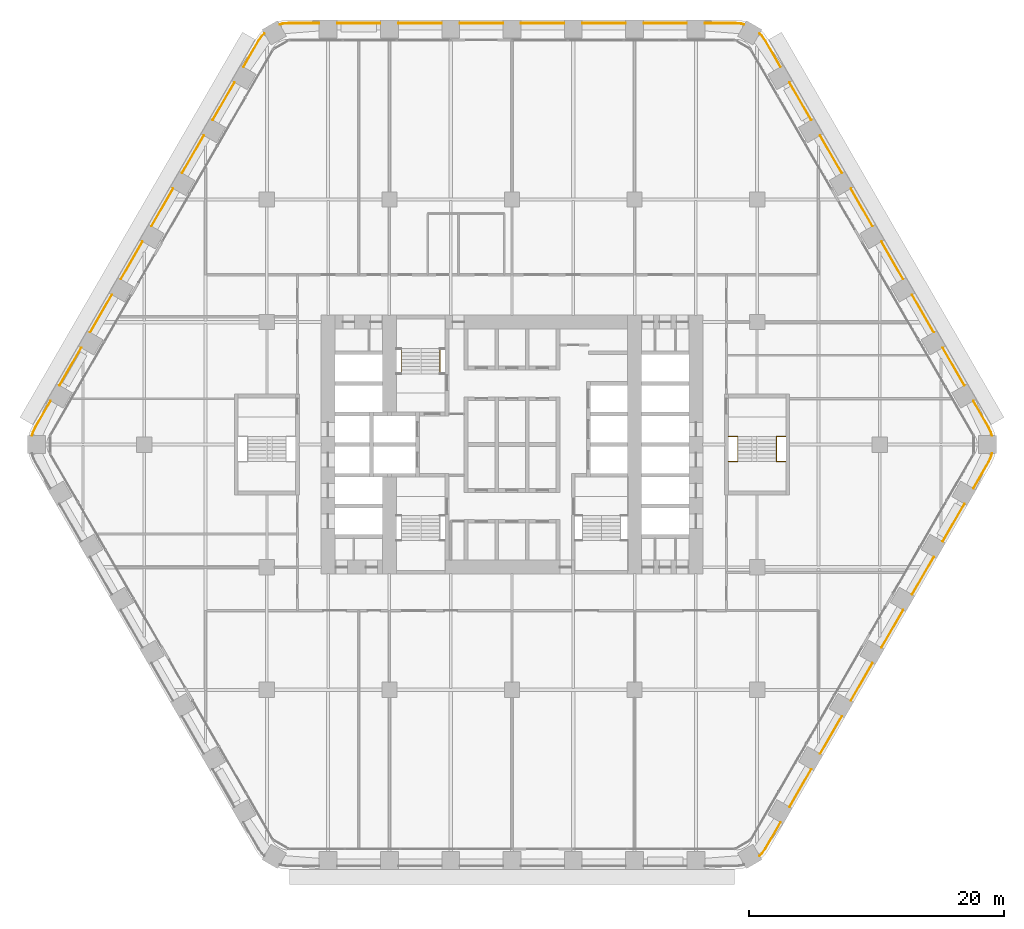
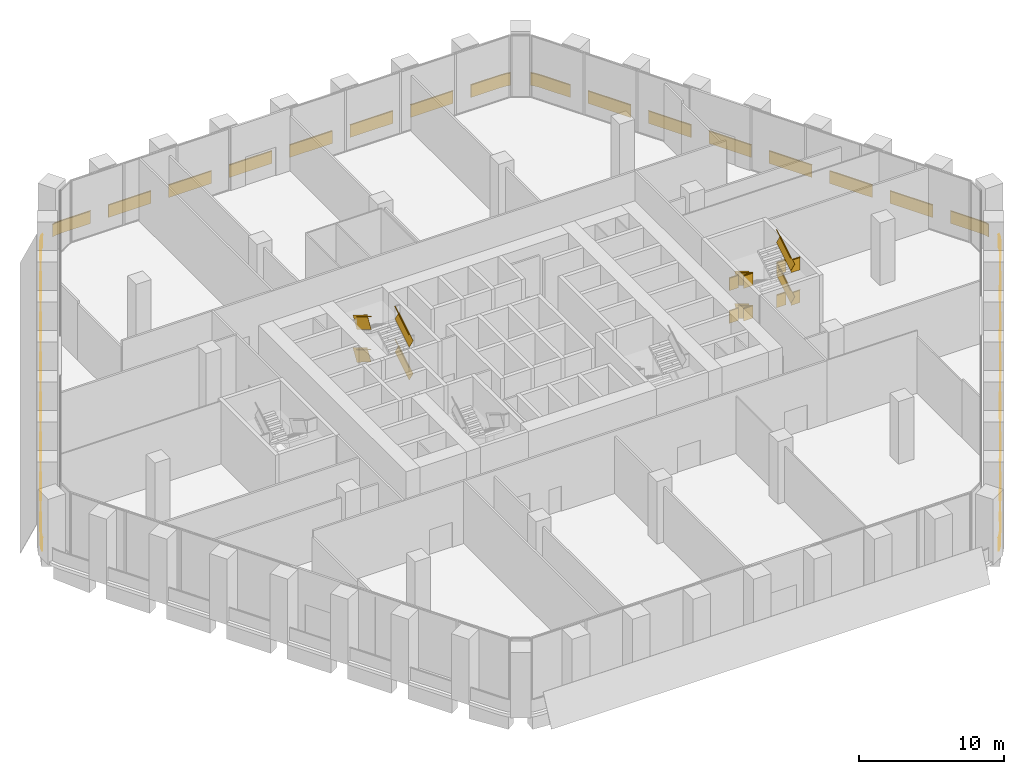
# One storey, part 27 of 27: 7 railings.
"""IFC4 building model written with IfcOpenShell, lengths in metres."""

from ifc_helpers import new_model, si_unit, direction, frame, frame_2d, origin, origin_2d, place, context, subcontext, project, spatial, rectangle, extrude, material, type_object, element, save


model = new_model("IFC4")

# Units and contexts
model_context = context("Model", 3, precision=1e-05, world=origin(), true_north=direction((0.0, 1.0)))
body_context = subcontext(model_context, "Body", "Model", "MODEL_VIEW")
ifc_project = project(units=[si_unit("LENGTHUNIT", "METRE"), si_unit("AREAUNIT", "SQUARE_METRE"), si_unit("VOLUMEUNIT", "CUBIC_METRE"), si_unit("PLANEANGLEUNIT", "RADIAN"), si_unit("MASSUNIT", "GRAM", prefix="KILO")], contexts=[model_context])

# Site, building, storey
site_placement = place(None, origin())
site = spatial("IfcSite", under=ifc_project, at=site_placement, CompositionType="ELEMENT")
building_placement = place(site_placement, origin())
building = spatial("IfcBuilding", under=site, at=building_placement, Name="Kolab Exchange Tower", CompositionType="ELEMENT")
storey_placement = place(building_placement, frame((0.0, 0.0, 49.89990234375)))
storey = spatial("IfcBuildingStorey", under=building, at=storey_placement, Name="L09", CompositionType="ELEMENT", Elevation=49.89990234375)

# Railings
ifc_material_1 = material(Name="Stainless steel 316", Category="steel")
railing_type_1 = type_object("IfcRailingType", Name="GUARD 1100", PredefinedType="GUARDRAIL", material=ifc_material_1)
railing_1_placement = place(storey_placement, frame((-5.639892578125, 5.550048828125, 0.172119140625)))
element("IfcRailing", 1, at=railing_1_placement, inside=storey, type_object=railing_type_1, Name="Handrail guard ST1", PredefinedType="GUARDRAIL", context=body_context, shape_type="SweptSolid", body=[
    extrude(rectangle(XDim=0.05, YDim=0.05, at=origin_2d()), frame((0.0, 0.0, 1.0751953125), z_axis=(0.0, 0.852288308005, 0.523072308613), x_axis=(-1.0, 0.0, 0.0)), (0.0, 0.0, 1.0), 2.299560546875),
    extrude(rectangle(XDim=0.012, YDim=1.05009765625, at=frame_2d((0.0, 0.525146484375))), frame((0.0, 0.0, 0.0), z_axis=(0.0, 0.852288308005, 0.523072308613), x_axis=(-1.0, 0.0, 0.0)), (0.0, 0.0, 1.0), 2.299560546875),
    extrude(rectangle(XDim=0.05, YDim=0.05, at=origin_2d()), frame((-3.02001953125, 1.9599609375, 2.4501953125), z_axis=(0.0, -0.852288308005, 0.523072308613), x_axis=(1.0, 0.0, 0.0)), (0.0, 0.0, 1.0), 2.299560546875),
    extrude(rectangle(XDim=0.012, YDim=1.05009765625, at=frame_2d((0.0, 0.525146484375))), frame((-3.02001953125, 1.9599609375, 1.375), z_axis=(0.0, -0.852288308005, 0.523072308613), x_axis=(1.0, 0.0, 0.0)), (0.0, 0.0, 1.0), 2.299560546875),
    extrude(rectangle(XDim=0.05, YDim=0.05, at=origin_2d()), frame((0.0, 0.0, 3.8251953125), z_axis=(0.0, 0.852288308005, 0.523072308613), x_axis=(-1.0, 0.0, 0.0)), (0.0, 0.0, 1.0), 2.299560546875),
    extrude(rectangle(XDim=0.012, YDim=1.05009765625, at=frame_2d((0.0, 0.525146484375))), frame((0.0, 0.0, 2.75), z_axis=(0.0, 0.852288308005, 0.523072308613), x_axis=(-1.0, 0.0, 0.0)), (0.0, 0.0, 1.0), 2.299560546875),
    extrude(rectangle(XDim=0.05, YDim=0.05, at=origin_2d()), frame((-3.02001953125, 1.9599609375, 5.2001953125), z_axis=(0.0, -0.852288308005, 0.523072308613), x_axis=(1.0, 0.0, 0.0)), (0.0, 0.0, 1.0), 2.299560546875),
    extrude(rectangle(XDim=0.012, YDim=1.05009765625, at=frame_2d((0.0, 0.525146484375))), frame((-3.02001953125, 1.9599609375, 4.125), z_axis=(0.0, -0.852288308005, 0.523072308613), x_axis=(1.0, 0.0, 0.0)), (0.0, 0.0, 1.0), 2.299560546875),
])
railing_2_placement = place(storey_placement, frame((16.949951171875, 0.64990234375, 0.0)))
element("IfcRailing", 2, at=railing_2_placement, inside=storey, type_object=railing_type_1, Name="Guard ST4", PredefinedType="GUARDRAIL", context=body_context, shape_type="SweptSolid", body=[
    extrude(rectangle(XDim=0.05, YDim=0.05, at=origin_2d()), frame((0.0, 0.0, 1.0751953125), z_axis=(1.0, 0.0, 0.0), x_axis=(0.0, 1.0, 0.0)), (0.0, 0.0, 1.0), 0.739990234375),
    extrude(rectangle(XDim=0.012, YDim=1.05009765625, at=frame_2d((0.0, 0.525146484375))), frame((0.0, 0.0, 0.0), z_axis=(1.0, 0.0, 0.0), x_axis=(0.0, 1.0, 0.0)), (0.0, 0.0, 1.0), 0.739990234375),
    extrude(rectangle(XDim=0.05, YDim=0.05, at=origin_2d()), frame((3.760009765625, 0.0, 1.0751953125), z_axis=(1.0, 0.0, 0.0), x_axis=(0.0, 1.0, 0.0)), (0.0, 0.0, 1.0), 0.739990234375),
    extrude(rectangle(XDim=0.012, YDim=1.05009765625, at=frame_2d((0.0, 0.525146484375))), frame((3.760009765625, 0.0, 0.0), z_axis=(1.0, 0.0, 0.0), x_axis=(0.0, 1.0, 0.0)), (0.0, 0.0, 1.0), 0.739990234375),
    extrude(rectangle(XDim=0.05, YDim=0.05, at=origin_2d()), frame((0.0, -1.9599609375, 2.4501953125), z_axis=(1.0, 0.0, 0.0), x_axis=(0.0, 1.0, 0.0)), (0.0, 0.0, 1.0), 0.739990234375),
    extrude(rectangle(XDim=0.012, YDim=1.05009765625, at=frame_2d((0.0, 0.525146484375))), frame((0.0, -1.9599609375, 1.375), z_axis=(1.0, 0.0, 0.0), x_axis=(0.0, 1.0, 0.0)), (0.0, 0.0, 1.0), 0.739990234375),
    extrude(rectangle(XDim=0.05, YDim=0.05, at=origin_2d()), frame((3.760009765625, -1.9599609375, 2.4501953125), z_axis=(1.0, 0.0, 0.0), x_axis=(0.0, 1.0, 0.0)), (0.0, 0.0, 1.0), 0.739990234375),
    extrude(rectangle(XDim=0.012, YDim=1.05009765625, at=frame_2d((0.0, 0.525146484375))), frame((3.760009765625, -1.9599609375, 1.375), z_axis=(1.0, 0.0, 0.0), x_axis=(0.0, 1.0, 0.0)), (0.0, 0.0, 1.0), 0.739990234375),
    extrude(rectangle(XDim=0.05, YDim=0.05, at=origin_2d()), frame((0.0, 0.0, 3.8251953125), z_axis=(1.0, 0.0, 0.0), x_axis=(0.0, 1.0, 0.0)), (0.0, 0.0, 1.0), 0.739990234375),
    extrude(rectangle(XDim=0.012, YDim=1.05009765625, at=frame_2d((0.0, 0.525146484375))), frame((0.0, 0.0, 2.75), z_axis=(1.0, 0.0, 0.0), x_axis=(0.0, 1.0, 0.0)), (0.0, 0.0, 1.0), 0.739990234375),
    extrude(rectangle(XDim=0.05, YDim=0.05, at=origin_2d()), frame((3.760009765625, 0.0, 3.8251953125), z_axis=(1.0, 0.0, 0.0), x_axis=(0.0, 1.0, 0.0)), (0.0, 0.0, 1.0), 0.739990234375),
    extrude(rectangle(XDim=0.012, YDim=1.05009765625, at=frame_2d((0.0, 0.525146484375))), frame((3.760009765625, 0.0, 2.75), z_axis=(1.0, 0.0, 0.0), x_axis=(0.0, 1.0, 0.0)), (0.0, 0.0, 1.0), 0.739990234375),
    extrude(rectangle(XDim=0.05, YDim=0.05, at=origin_2d()), frame((0.0, -1.9599609375, 5.2001953125), z_axis=(1.0, 0.0, 0.0), x_axis=(0.0, 1.0, 0.0)), (0.0, 0.0, 1.0), 0.739990234375),
    extrude(rectangle(XDim=0.012, YDim=1.05009765625, at=frame_2d((0.0, 0.525146484375))), frame((0.0, -1.9599609375, 4.125), z_axis=(1.0, 0.0, 0.0), x_axis=(0.0, 1.0, 0.0)), (0.0, 0.0, 1.0), 0.739990234375),
    extrude(rectangle(XDim=0.05, YDim=0.05, at=origin_2d()), frame((3.760009765625, -1.9599609375, 5.2001953125), z_axis=(1.0, 0.0, 0.0), x_axis=(0.0, 1.0, 0.0)), (0.0, 0.0, 1.0), 0.739990234375),
    extrude(rectangle(XDim=0.012, YDim=1.05009765625, at=frame_2d((0.0, 0.525146484375))), frame((3.760009765625, -1.9599609375, 4.125), z_axis=(1.0, 0.0, 0.0), x_axis=(0.0, 1.0, 0.0)), (0.0, 0.0, 1.0), 0.739990234375),
])
railing_3_placement = place(storey_placement, frame((17.68994140625, 0.64990234375, 0.172119140625)))
element("IfcRailing", 3, at=railing_3_placement, inside=storey, type_object=railing_type_1, Name="Handrail guard ST4", PredefinedType="GUARDRAIL", context=body_context, shape_type="SweptSolid", body=[
    extrude(rectangle(XDim=0.05, YDim=0.05, at=origin_2d()), frame((0.0, 0.0, 1.0751953125), z_axis=(0.0, -0.852288308005, 0.523072308613), x_axis=(1.0, 0.0, 0.0)), (0.0, 0.0, 1.0), 2.299560546875),
    extrude(rectangle(XDim=0.012, YDim=1.05009765625, at=frame_2d((0.0, 0.525146484375))), frame((0.0, 0.0, 0.0), z_axis=(0.0, -0.852288308005, 0.523072308613), x_axis=(1.0, 0.0, 0.0)), (0.0, 0.0, 1.0), 2.299560546875),
    extrude(rectangle(XDim=0.05, YDim=0.05, at=origin_2d()), frame((3.02001953125, -1.9599609375, 2.4501953125), z_axis=(0.0, 0.852288308005, 0.523072308613), x_axis=(-1.0, 0.0, 0.0)), (0.0, 0.0, 1.0), 2.299560546875),
    extrude(rectangle(XDim=0.012, YDim=1.05009765625, at=frame_2d((0.0, 0.525146484375))), frame((3.02001953125, -1.9599609375, 1.375), z_axis=(0.0, 0.852288308005, 0.523072308613), x_axis=(-1.0, 0.0, 0.0)), (0.0, 0.0, 1.0), 2.299560546875),
    extrude(rectangle(XDim=0.05, YDim=0.05, at=origin_2d()), frame((0.0, 0.0, 3.8251953125), z_axis=(0.0, -0.852288308005, 0.523072308613), x_axis=(1.0, 0.0, 0.0)), (0.0, 0.0, 1.0), 2.299560546875),
    extrude(rectangle(XDim=0.012, YDim=1.05009765625, at=frame_2d((0.0, 0.525146484375))), frame((0.0, 0.0, 2.75), z_axis=(0.0, -0.852288308005, 0.523072308613), x_axis=(1.0, 0.0, 0.0)), (0.0, 0.0, 1.0), 2.299560546875),
    extrude(rectangle(XDim=0.05, YDim=0.05, at=origin_2d()), frame((3.02001953125, -1.9599609375, 5.2001953125), z_axis=(0.0, 0.852288308005, 0.523072308613), x_axis=(-1.0, 0.0, 0.0)), (0.0, 0.0, 1.0), 2.299560546875),
    extrude(rectangle(XDim=0.012, YDim=1.05009765625, at=frame_2d((0.0, 0.525146484375))), frame((3.02001953125, -1.9599609375, 4.125), z_axis=(0.0, 0.852288308005, 0.523072308613), x_axis=(-1.0, 0.0, 0.0)), (0.0, 0.0, 1.0), 2.299560546875),
])
ifc_material_2 = material(Name="Steel S235", Category="steel")
railing_type_2 = type_object("IfcRailingType", Name="GUARD 1100 GLASS BALUSTRADE AND STEEL TOP RAIL", PredefinedType="GUARDRAIL", material=ifc_material_2)
railing_4_placement = place(storey_placement, frame((18.1953125, 32.896728515625, 0.0)))
element("IfcRailing", 4, at=railing_4_placement, inside=storey, type_object=railing_type_2, Name="Guard", PredefinedType="GUARDRAIL", context=body_context, shape_type="SweptSolid", body=[
    extrude(rectangle(XDim=0.05, YDim=0.05, at=origin_2d()), frame((0.0, 0.0, 1.0751953125), z_axis=(-0.965952265455, 0.258720352624, 0.0), x_axis=(-0.258720352624, -0.965952265455, 0.0)), (0.0, 0.0, 1.0), 0.258544921875),
    extrude(rectangle(XDim=0.012, YDim=1.05009765625, at=frame_2d((0.0, 0.525146484375))), frame((0.0, 0.0, 0.0), z_axis=(-0.965952265455, 0.258720352624, 0.0), x_axis=(-0.258720352624, -0.965952265455, 0.0)), (0.0, 0.0, 1.0), 0.258544921875),
    extrude(rectangle(XDim=0.05, YDim=0.05, at=origin_2d()), frame((-0.249755859375, 0.06689453125, 1.0751953125), z_axis=(-0.996200348447, 0.087091134757, 0.0), x_axis=(-0.087091134757, -0.996200348447, 0.0)), (0.0, 0.0, 1.0), 0.479248046875),
    extrude(rectangle(XDim=0.012, YDim=1.05009765625, at=frame_2d((0.0, 0.525146484375))), frame((-0.249755859375, 0.06689453125, 0.0), z_axis=(-0.996200348447, 0.087091134757, 0.0), x_axis=(-0.087091134757, -0.996200348447, 0.0)), (0.0, 0.0, 1.0), 0.479248046875),
    extrude(rectangle(XDim=0.05, YDim=0.05, at=origin_2d()), frame((-0.727294921875, 0.108642578125, 1.0751953125), z_axis=(-1.0, 0.0, 0.0), x_axis=(0.0, -1.0, 0.0)), (0.0, 0.0, 1.0), 2.367919921875),
    extrude(rectangle(XDim=0.012, YDim=1.05009765625, at=frame_2d((0.0, 0.525146484375))), frame((-0.727294921875, 0.108642578125, 0.0), z_axis=(-1.0, 0.0, 0.0), x_axis=(0.0, -1.0, 0.0)), (0.0, 0.0, 1.0), 2.367919921875),
    extrude(rectangle(XDim=0.05, YDim=0.05, at=origin_2d()), frame((-4.495361328125, 0.108642578125, 1.0751953125), z_axis=(-1.0, 0.0, 0.0), x_axis=(0.0, -1.0, 0.0)), (0.0, 0.0, 1.0), 3.39990234375),
    extrude(rectangle(XDim=0.012, YDim=1.05009765625, at=frame_2d((0.0, 0.525146484375))), frame((-4.495361328125, 0.108642578125, 0.0), z_axis=(-1.0, 0.0, 0.0), x_axis=(0.0, -1.0, 0.0)), (0.0, 0.0, 1.0), 3.39990234375),
    extrude(rectangle(XDim=0.05, YDim=0.05, at=origin_2d()), frame((-9.29541015625, 0.108642578125, 1.0751953125), z_axis=(-1.0, 0.0, 0.0), x_axis=(0.0, -1.0, 0.0)), (0.0, 0.0, 1.0), 3.39990234375),
    extrude(rectangle(XDim=0.012, YDim=1.05009765625, at=frame_2d((0.0, 0.525146484375))), frame((-9.29541015625, 0.108642578125, 0.0), z_axis=(-1.0, 0.0, 0.0), x_axis=(0.0, -1.0, 0.0)), (0.0, 0.0, 1.0), 3.39990234375),
    extrude(rectangle(XDim=0.05, YDim=0.05, at=origin_2d()), frame((-14.09521484375, 0.108642578125, 1.0751953125), z_axis=(-1.0, 0.0, 0.0), x_axis=(0.0, -1.0, 0.0)), (0.0, 0.0, 1.0), 3.400146484375),
    extrude(rectangle(XDim=0.012, YDim=1.05009765625, at=frame_2d((0.0, 0.525146484375))), frame((-14.09521484375, 0.108642578125, 0.0), z_axis=(-1.0, 0.0, 0.0), x_axis=(0.0, -1.0, 0.0)), (0.0, 0.0, 1.0), 3.400146484375),
    extrude(rectangle(XDim=0.05, YDim=0.05, at=origin_2d()), frame((-18.895263671875, 0.108642578125, 1.0751953125), z_axis=(-1.0, 0.0, 0.0), x_axis=(0.0, -1.0, 0.0)), (0.0, 0.0, 1.0), 3.400146484375),
    extrude(rectangle(XDim=0.012, YDim=1.05009765625, at=frame_2d((0.0, 0.525146484375))), frame((-18.895263671875, 0.108642578125, 0.0), z_axis=(-1.0, 0.0, 0.0), x_axis=(0.0, -1.0, 0.0)), (0.0, 0.0, 1.0), 3.400146484375),
    extrude(rectangle(XDim=0.05, YDim=0.05, at=origin_2d()), frame((-23.6953125, 0.108642578125, 1.0751953125), z_axis=(-1.0, 0.0, 0.0), x_axis=(0.0, -1.0, 0.0)), (0.0, 0.0, 1.0), 3.39990234375),
    extrude(rectangle(XDim=0.012, YDim=1.05009765625, at=frame_2d((0.0, 0.525146484375))), frame((-23.6953125, 0.108642578125, 0.0), z_axis=(-1.0, 0.0, 0.0), x_axis=(0.0, -1.0, 0.0)), (0.0, 0.0, 1.0), 3.39990234375),
    extrude(rectangle(XDim=0.05, YDim=0.05, at=origin_2d()), frame((-28.495361328125, 0.108642578125, 1.0751953125), z_axis=(-1.0, 0.0, 0.0), x_axis=(0.0, -1.0, 0.0)), (0.0, 0.0, 1.0), 3.39990234375),
    extrude(rectangle(XDim=0.012, YDim=1.05009765625, at=frame_2d((0.0, 0.525146484375))), frame((-28.495361328125, 0.108642578125, 0.0), z_axis=(-1.0, 0.0, 0.0), x_axis=(0.0, -1.0, 0.0)), (0.0, 0.0, 1.0), 3.39990234375),
    extrude(rectangle(XDim=0.05, YDim=0.05, at=origin_2d()), frame((-33.29541015625, 0.108642578125, 1.0751953125), z_axis=(-1.0, 0.0, 0.0), x_axis=(0.0, -1.0, 0.0)), (0.0, 0.0, 1.0), 2.367919921875),
    extrude(rectangle(XDim=0.012, YDim=1.05009765625, at=frame_2d((0.0, 0.525146484375))), frame((-33.29541015625, 0.108642578125, 0.0), z_axis=(-1.0, 0.0, 0.0), x_axis=(0.0, -1.0, 0.0)), (0.0, 0.0, 1.0), 2.367919921875),
    extrude(rectangle(XDim=0.05, YDim=0.05, at=origin_2d()), frame((-35.663330078125, 0.108642578125, 1.0751953125), z_axis=(-0.996200348447, -0.087091134757, 0.0), x_axis=(0.087091134757, -0.996200348447, 0.0)), (0.0, 0.0, 1.0), 0.479248046875),
    extrude(rectangle(XDim=0.012, YDim=1.05009765625, at=frame_2d((0.0, 0.525146484375))), frame((-35.663330078125, 0.108642578125, 0.0), z_axis=(-0.996200348447, -0.087091134757, 0.0), x_axis=(0.087091134757, -0.996200348447, 0.0)), (0.0, 0.0, 1.0), 0.479248046875),
    extrude(rectangle(XDim=0.05, YDim=0.05, at=origin_2d()), frame((-36.140869140625, 0.06689453125, 1.0751953125), z_axis=(-0.965952265455, -0.258720352624, 0.0), x_axis=(0.258720352624, -0.965952265455, 0.0)), (0.0, 0.0, 1.0), 0.258544921875),
    extrude(rectangle(XDim=0.012, YDim=1.05009765625, at=frame_2d((0.0, 0.525146484375))), frame((-36.140869140625, 0.06689453125, 0.0), z_axis=(-0.965952265455, -0.258720352624, 0.0), x_axis=(0.258720352624, -0.965952265455, 0.0)), (0.0, 0.0, 1.0), 0.258544921875),
])
railing_5_placement = place(storey_placement, frame((37.5869140625, 0.690673828125, 0.0)))
element("IfcRailing", 5, at=railing_5_placement, inside=storey, type_object=railing_type_2, Name="Guard", PredefinedType="GUARDRAIL", context=body_context, shape_type="SweptSolid", body=[
    extrude(rectangle(XDim=0.05, YDim=0.05, at=origin_2d()), frame((0.0, 0.0, 1.0751953125), z_axis=(-0.258484584798, 0.966015382601, 0.0), x_axis=(-0.966015382601, -0.258484584798, 0.0)), (0.0, 0.0, 1.0), 0.2587890625),
    extrude(rectangle(XDim=0.012, YDim=1.05009765625, at=frame_2d((0.0, 0.525146484375))), frame((0.0, 0.0, 0.0), z_axis=(-0.258484584798, 0.966015382601, 0.0), x_axis=(-0.966015382601, -0.258484584798, 0.0)), (0.0, 0.0, 1.0), 0.2587890625),
    extrude(rectangle(XDim=0.05, YDim=0.05, at=origin_2d()), frame((-0.06689453125, 0.25, 1.0751953125), z_axis=(-0.422801802984, 0.906222177721, 0.0), x_axis=(-0.906222177721, -0.422801802984, 0.0)), (0.0, 0.0, 1.0), 0.479248046875),
    extrude(rectangle(XDim=0.012, YDim=1.05009765625, at=frame_2d((0.0, 0.525146484375))), frame((-0.06689453125, 0.25, 0.0), z_axis=(-0.422801802984, 0.906222177721, 0.0), x_axis=(-0.906222177721, -0.422801802984, 0.0)), (0.0, 0.0, 1.0), 0.479248046875),
    extrude(rectangle(XDim=0.05, YDim=0.05, at=origin_2d()), frame((-0.26953125, 0.684326171875, 1.0751953125), z_axis=(-0.499942602326, 0.866058539811, 0.0), x_axis=(-0.866058539811, -0.499942602326, 0.0)), (0.0, 0.0, 1.0), 2.367919921875),
    extrude(rectangle(XDim=0.012, YDim=1.05009765625, at=frame_2d((0.0, 0.525146484375))), frame((-0.26953125, 0.684326171875, 0.0), z_axis=(-0.499942602326, 0.866058539811, 0.0), x_axis=(-0.866058539811, -0.499942602326, 0.0)), (0.0, 0.0, 1.0), 2.367919921875),
    extrude(rectangle(XDim=0.05, YDim=0.05, at=origin_2d()), frame((-2.1533203125, 3.947509765625, 1.0751953125), z_axis=(-0.500062241894, 0.865989465428, 0.0), x_axis=(-0.865989465428, -0.500062241894, 0.0)), (0.0, 0.0, 1.0), 3.39990234375),
    extrude(rectangle(XDim=0.012, YDim=1.05009765625, at=frame_2d((0.0, 0.525146484375))), frame((-2.1533203125, 3.947509765625, 0.0), z_axis=(-0.500062241894, 0.865989465428, 0.0), x_axis=(-0.865989465428, -0.500062241894, 0.0)), (0.0, 0.0, 1.0), 3.39990234375),
    extrude(rectangle(XDim=0.05, YDim=0.05, at=origin_2d()), frame((-4.553466796875, 8.1044921875, 1.0751953125), z_axis=(-0.500008388397, 0.866020560687, 0.0), x_axis=(-0.866020560687, -0.500008388397, 0.0)), (0.0, 0.0, 1.0), 3.39990234375),
    extrude(rectangle(XDim=0.012, YDim=1.05009765625, at=frame_2d((0.0, 0.525146484375))), frame((-4.553466796875, 8.1044921875, 0.0), z_axis=(-0.500008388397, 0.866020560687, 0.0), x_axis=(-0.866020560687, -0.500008388397, 0.0)), (0.0, 0.0, 1.0), 3.39990234375),
    extrude(rectangle(XDim=0.05, YDim=0.05, at=origin_2d()), frame((-6.953369140625, 12.26123046875, 1.0751953125), z_axis=(-0.499977295307, 0.866038511948, 0.0), x_axis=(-0.866038511948, -0.499977295307, 0.0)), (0.0, 0.0, 1.0), 3.400146484375),
    extrude(rectangle(XDim=0.012, YDim=1.05009765625, at=frame_2d((0.0, 0.525146484375))), frame((-6.953369140625, 12.26123046875, 0.0), z_axis=(-0.499977295307, 0.866038511948, 0.0), x_axis=(-0.866038511948, -0.499977295307, 0.0)), (0.0, 0.0, 1.0), 3.400146484375),
    extrude(rectangle(XDim=0.05, YDim=0.05, at=origin_2d()), frame((-9.353515625, 16.418212890625, 1.0751953125), z_axis=(-0.499977295307, 0.866038511948, 0.0), x_axis=(-0.866038511948, -0.499977295307, 0.0)), (0.0, 0.0, 1.0), 3.400146484375),
    extrude(rectangle(XDim=0.012, YDim=1.05009765625, at=frame_2d((0.0, 0.525146484375))), frame((-9.353515625, 16.418212890625, 0.0), z_axis=(-0.499977295307, 0.866038511948, 0.0), x_axis=(-0.866038511948, -0.499977295307, 0.0)), (0.0, 0.0, 1.0), 3.400146484375),
    extrude(rectangle(XDim=0.05, YDim=0.05, at=origin_2d()), frame((-11.75341796875, 20.5751953125, 1.0751953125), z_axis=(-0.500008388397, 0.866020560687, 0.0), x_axis=(-0.866020560687, -0.500008388397, 0.0)), (0.0, 0.0, 1.0), 3.39990234375),
    extrude(rectangle(XDim=0.012, YDim=1.05009765625, at=frame_2d((0.0, 0.525146484375))), frame((-11.75341796875, 20.5751953125, 0.0), z_axis=(-0.500008388397, 0.866020560687, 0.0), x_axis=(-0.866020560687, -0.500008388397, 0.0)), (0.0, 0.0, 1.0), 3.39990234375),
    extrude(rectangle(XDim=0.05, YDim=0.05, at=origin_2d()), frame((-14.1533203125, 24.732177734375, 1.0751953125), z_axis=(-0.500062241894, 0.865989465428, 0.0), x_axis=(-0.865989465428, -0.500062241894, 0.0)), (0.0, 0.0, 1.0), 3.39990234375),
    extrude(rectangle(XDim=0.012, YDim=1.05009765625, at=frame_2d((0.0, 0.525146484375))), frame((-14.1533203125, 24.732177734375, 0.0), z_axis=(-0.500062241894, 0.865989465428, 0.0), x_axis=(-0.865989465428, -0.500062241894, 0.0)), (0.0, 0.0, 1.0), 3.39990234375),
    extrude(rectangle(XDim=0.05, YDim=0.05, at=origin_2d()), frame((-16.553466796875, 28.888916015625, 1.0751953125), z_axis=(-0.499942602326, 0.866058539811, 0.0), x_axis=(-0.866058539811, -0.499942602326, 0.0)), (0.0, 0.0, 1.0), 2.367919921875),
    extrude(rectangle(XDim=0.012, YDim=1.05009765625, at=frame_2d((0.0, 0.525146484375))), frame((-16.553466796875, 28.888916015625, 0.0), z_axis=(-0.499942602326, 0.866058539811, 0.0), x_axis=(-0.866058539811, -0.499942602326, 0.0)), (0.0, 0.0, 1.0), 2.367919921875),
    extrude(rectangle(XDim=0.05, YDim=0.05, at=origin_2d()), frame((-17.7373046875, 30.939697265625, 1.0751953125), z_axis=(-0.573940749815, 0.818896828485, 0.0), x_axis=(-0.818896828485, -0.573940749815, 0.0)), (0.0, 0.0, 1.0), 0.4794921875),
    extrude(rectangle(XDim=0.012, YDim=1.05009765625, at=frame_2d((0.0, 0.525146484375))), frame((-17.7373046875, 30.939697265625, 0.0), z_axis=(-0.573940749815, 0.818896828485, 0.0), x_axis=(-0.818896828485, -0.573940749815, 0.0)), (0.0, 0.0, 1.0), 0.4794921875),
    extrude(rectangle(XDim=0.05, YDim=0.05, at=origin_2d()), frame((-18.012451171875, 31.332275390625, 1.0751953125), z_axis=(-0.706634904947, 0.707578342737, 0.0), x_axis=(-0.707578342737, -0.706634904947, 0.0)), (0.0, 0.0, 1.0), 0.2587890625),
    extrude(rectangle(XDim=0.012, YDim=1.05009765625, at=frame_2d((0.0, 0.525146484375))), frame((-18.012451171875, 31.332275390625, 0.0), z_axis=(-0.706634904947, 0.707578342737, 0.0), x_axis=(-0.707578342737, -0.706634904947, 0.0)), (0.0, 0.0, 1.0), 0.2587890625),
])
railing_6_placement = place(storey_placement, frame((19.3916015625, -32.2060546875, 0.0)))
element("IfcRailing", 6, at=railing_6_placement, inside=storey, type_object=railing_type_2, Name="Guard", PredefinedType="GUARDRAIL", context=body_context, shape_type="SweptSolid", body=[
    extrude(rectangle(XDim=0.05, YDim=0.05, at=origin_2d()), frame((0.0, 0.0, 1.0751953125), z_axis=(0.706634904947, 0.707578342737, 0.0), x_axis=(-0.707578342737, 0.706634904947, 0.0)), (0.0, 0.0, 1.0), 0.2587890625),
    extrude(rectangle(XDim=0.012, YDim=1.05009765625, at=frame_2d((0.0, 0.525146484375))), frame((0.0, 0.0, 0.0), z_axis=(0.706634904947, 0.707578342737, 0.0), x_axis=(-0.707578342737, 0.706634904947, 0.0)), (0.0, 0.0, 1.0), 0.2587890625),
    extrude(rectangle(XDim=0.05, YDim=0.05, at=origin_2d()), frame((0.182861328125, 0.18310546875, 1.0751953125), z_axis=(0.573940749815, 0.818896828485, 0.0), x_axis=(-0.818896828485, 0.573940749815, 0.0)), (0.0, 0.0, 1.0), 0.4794921875),
    extrude(rectangle(XDim=0.012, YDim=1.05009765625, at=frame_2d((0.0, 0.525146484375))), frame((0.182861328125, 0.18310546875, 0.0), z_axis=(0.573940749815, 0.818896828485, 0.0), x_axis=(-0.818896828485, 0.573940749815, 0.0)), (0.0, 0.0, 1.0), 0.4794921875),
    extrude(rectangle(XDim=0.05, YDim=0.05, at=origin_2d()), frame((0.4580078125, 0.57568359375, 1.0751953125), z_axis=(0.499942602326, 0.866058539811, 0.0), x_axis=(-0.866058539811, 0.499942602326, 0.0)), (0.0, 0.0, 1.0), 2.367919921875),
    extrude(rectangle(XDim=0.012, YDim=1.05009765625, at=frame_2d((0.0, 0.525146484375))), frame((0.4580078125, 0.57568359375, 0.0), z_axis=(0.499942602326, 0.866058539811, 0.0), x_axis=(-0.866058539811, 0.499942602326, 0.0)), (0.0, 0.0, 1.0), 2.367919921875),
    extrude(rectangle(XDim=0.05, YDim=0.05, at=origin_2d()), frame((2.341796875, 3.8388671875, 1.0751953125), z_axis=(0.500062241894, 0.865989465428, 0.0), x_axis=(-0.865989465428, 0.500062241894, 0.0)), (0.0, 0.0, 1.0), 3.39990234375),
    extrude(rectangle(XDim=0.012, YDim=1.05009765625, at=frame_2d((0.0, 0.525146484375))), frame((2.341796875, 3.8388671875, 0.0), z_axis=(0.500062241894, 0.865989465428, 0.0), x_axis=(-0.865989465428, 0.500062241894, 0.0)), (0.0, 0.0, 1.0), 3.39990234375),
    extrude(rectangle(XDim=0.05, YDim=0.05, at=origin_2d()), frame((4.741943359375, 7.995849609375, 1.0751953125), z_axis=(0.500008388397, 0.866020560687, 0.0), x_axis=(-0.866020560687, 0.500008388397, 0.0)), (0.0, 0.0, 1.0), 3.39990234375),
    extrude(rectangle(XDim=0.012, YDim=1.05009765625, at=frame_2d((0.0, 0.525146484375))), frame((4.741943359375, 7.995849609375, 0.0), z_axis=(0.500008388397, 0.866020560687, 0.0), x_axis=(-0.866020560687, 0.500008388397, 0.0)), (0.0, 0.0, 1.0), 3.39990234375),
    extrude(rectangle(XDim=0.05, YDim=0.05, at=origin_2d()), frame((7.141845703125, 12.152587890625, 1.0751953125), z_axis=(0.499977295307, 0.866038511948, 0.0), x_axis=(-0.866038511948, 0.499977295307, 0.0)), (0.0, 0.0, 1.0), 3.400146484375),
    extrude(rectangle(XDim=0.012, YDim=1.05009765625, at=frame_2d((0.0, 0.525146484375))), frame((7.141845703125, 12.152587890625, 0.0), z_axis=(0.499977295307, 0.866038511948, 0.0), x_axis=(-0.866038511948, 0.499977295307, 0.0)), (0.0, 0.0, 1.0), 3.400146484375),
    extrude(rectangle(XDim=0.05, YDim=0.05, at=origin_2d()), frame((9.5419921875, 16.3095703125, 1.0751953125), z_axis=(0.499977295307, 0.866038511948, 0.0), x_axis=(-0.866038511948, 0.499977295307, 0.0)), (0.0, 0.0, 1.0), 3.400146484375),
    extrude(rectangle(XDim=0.012, YDim=1.05009765625, at=frame_2d((0.0, 0.525146484375))), frame((9.5419921875, 16.3095703125, 0.0), z_axis=(0.499977295307, 0.866038511948, 0.0), x_axis=(-0.866038511948, 0.499977295307, 0.0)), (0.0, 0.0, 1.0), 3.400146484375),
    extrude(rectangle(XDim=0.05, YDim=0.05, at=origin_2d()), frame((11.94189453125, 20.466552734375, 1.0751953125), z_axis=(0.500008388397, 0.866020560687, 0.0), x_axis=(-0.866020560687, 0.500008388397, 0.0)), (0.0, 0.0, 1.0), 3.39990234375),
    extrude(rectangle(XDim=0.012, YDim=1.05009765625, at=frame_2d((0.0, 0.525146484375))), frame((11.94189453125, 20.466552734375, 0.0), z_axis=(0.500008388397, 0.866020560687, 0.0), x_axis=(-0.866020560687, 0.500008388397, 0.0)), (0.0, 0.0, 1.0), 3.39990234375),
    extrude(rectangle(XDim=0.05, YDim=0.05, at=origin_2d()), frame((14.341796875, 24.62353515625, 1.0751953125), z_axis=(0.500062241894, 0.865989465428, 0.0), x_axis=(-0.865989465428, 0.500062241894, 0.0)), (0.0, 0.0, 1.0), 3.39990234375),
    extrude(rectangle(XDim=0.012, YDim=1.05009765625, at=frame_2d((0.0, 0.525146484375))), frame((14.341796875, 24.62353515625, 0.0), z_axis=(0.500062241894, 0.865989465428, 0.0), x_axis=(-0.865989465428, 0.500062241894, 0.0)), (0.0, 0.0, 1.0), 3.39990234375),
    extrude(rectangle(XDim=0.05, YDim=0.05, at=origin_2d()), frame((16.741943359375, 28.7802734375, 1.0751953125), z_axis=(0.499942602326, 0.866058539811, 0.0), x_axis=(-0.866058539811, 0.499942602326, 0.0)), (0.0, 0.0, 1.0), 2.367919921875),
    extrude(rectangle(XDim=0.012, YDim=1.05009765625, at=frame_2d((0.0, 0.525146484375))), frame((16.741943359375, 28.7802734375, 0.0), z_axis=(0.499942602326, 0.866058539811, 0.0), x_axis=(-0.866058539811, 0.499942602326, 0.0)), (0.0, 0.0, 1.0), 2.367919921875),
    extrude(rectangle(XDim=0.05, YDim=0.05, at=origin_2d()), frame((17.92578125, 30.8310546875, 1.0751953125), z_axis=(0.422801802984, 0.906222177721, 0.0), x_axis=(-0.906222177721, 0.422801802984, 0.0)), (0.0, 0.0, 1.0), 0.479248046875),
    extrude(rectangle(XDim=0.012, YDim=1.05009765625, at=frame_2d((0.0, 0.525146484375))), frame((17.92578125, 30.8310546875, 0.0), z_axis=(0.422801802984, 0.906222177721, 0.0), x_axis=(-0.906222177721, 0.422801802984, 0.0)), (0.0, 0.0, 1.0), 0.479248046875),
    extrude(rectangle(XDim=0.05, YDim=0.05, at=origin_2d()), frame((18.12841796875, 31.265380859375, 1.0751953125), z_axis=(0.258484584798, 0.966015382601, 0.0), x_axis=(-0.966015382601, 0.258484584798, 0.0)), (0.0, 0.0, 1.0), 0.2587890625),
    extrude(rectangle(XDim=0.012, YDim=1.05009765625, at=frame_2d((0.0, 0.525146484375))), frame((18.12841796875, 31.265380859375, 0.0), z_axis=(0.258484584798, 0.966015382601, 0.0), x_axis=(-0.966015382601, 0.258484584798, 0.0)), (0.0, 0.0, 1.0), 0.2587890625),
])
railing_7_placement = place(storey_placement, frame((-19.3916015625, 32.2060546875, 0.0)))
element("IfcRailing", 7, at=railing_7_placement, inside=storey, type_object=railing_type_2, Name="Guard", PredefinedType="GUARDRAIL", context=body_context, shape_type="SweptSolid", body=[
    extrude(rectangle(XDim=0.05, YDim=0.05, at=origin_2d()), frame((0.0, 0.0, 1.0751953125), z_axis=(-0.706634904947, -0.707578342737, 0.0), x_axis=(0.707578342737, -0.706634904947, 0.0)), (0.0, 0.0, 1.0), 0.2587890625),
    extrude(rectangle(XDim=0.012, YDim=1.05009765625, at=frame_2d((0.0, 0.525146484375))), frame((0.0, 0.0, 0.0), z_axis=(-0.706634904947, -0.707578342737, 0.0), x_axis=(0.707578342737, -0.706634904947, 0.0)), (0.0, 0.0, 1.0), 0.2587890625),
    extrude(rectangle(XDim=0.05, YDim=0.05, at=origin_2d()), frame((-0.182861328125, -0.18310546875, 1.0751953125), z_axis=(-0.573940749815, -0.818896828485, 0.0), x_axis=(0.818896828485, -0.573940749815, 0.0)), (0.0, 0.0, 1.0), 0.4794921875),
    extrude(rectangle(XDim=0.012, YDim=1.05009765625, at=frame_2d((0.0, 0.525146484375))), frame((-0.182861328125, -0.18310546875, 0.0), z_axis=(-0.573940749815, -0.818896828485, 0.0), x_axis=(0.818896828485, -0.573940749815, 0.0)), (0.0, 0.0, 1.0), 0.4794921875),
    extrude(rectangle(XDim=0.05, YDim=0.05, at=origin_2d()), frame((-0.4580078125, -0.57568359375, 1.0751953125), z_axis=(-0.499942602326, -0.866058539811, 0.0), x_axis=(0.866058539811, -0.499942602326, 0.0)), (0.0, 0.0, 1.0), 2.367919921875),
    extrude(rectangle(XDim=0.012, YDim=1.05009765625, at=frame_2d((0.0, 0.525146484375))), frame((-0.4580078125, -0.57568359375, 0.0), z_axis=(-0.499942602326, -0.866058539811, 0.0), x_axis=(0.866058539811, -0.499942602326, 0.0)), (0.0, 0.0, 1.0), 2.367919921875),
    extrude(rectangle(XDim=0.05, YDim=0.05, at=origin_2d()), frame((-2.341796875, -3.8388671875, 1.0751953125), z_axis=(-0.500062241894, -0.865989465428, 0.0), x_axis=(0.865989465428, -0.500062241894, 0.0)), (0.0, 0.0, 1.0), 3.39990234375),
    extrude(rectangle(XDim=0.012, YDim=1.05009765625, at=frame_2d((0.0, 0.525146484375))), frame((-2.341796875, -3.8388671875, 0.0), z_axis=(-0.500062241894, -0.865989465428, 0.0), x_axis=(0.865989465428, -0.500062241894, 0.0)), (0.0, 0.0, 1.0), 3.39990234375),
    extrude(rectangle(XDim=0.05, YDim=0.05, at=origin_2d()), frame((-4.741943359375, -7.995849609375, 1.0751953125), z_axis=(-0.500008388397, -0.866020560687, 0.0), x_axis=(0.866020560687, -0.500008388397, 0.0)), (0.0, 0.0, 1.0), 3.39990234375),
    extrude(rectangle(XDim=0.012, YDim=1.05009765625, at=frame_2d((0.0, 0.525146484375))), frame((-4.741943359375, -7.995849609375, 0.0), z_axis=(-0.500008388397, -0.866020560687, 0.0), x_axis=(0.866020560687, -0.500008388397, 0.0)), (0.0, 0.0, 1.0), 3.39990234375),
    extrude(rectangle(XDim=0.05, YDim=0.05, at=origin_2d()), frame((-7.141845703125, -12.152587890625, 1.0751953125), z_axis=(-0.499977295307, -0.866038511948, 0.0), x_axis=(0.866038511948, -0.499977295307, 0.0)), (0.0, 0.0, 1.0), 3.400146484375),
    extrude(rectangle(XDim=0.012, YDim=1.05009765625, at=frame_2d((0.0, 0.525146484375))), frame((-7.141845703125, -12.152587890625, 0.0), z_axis=(-0.499977295307, -0.866038511948, 0.0), x_axis=(0.866038511948, -0.499977295307, 0.0)), (0.0, 0.0, 1.0), 3.400146484375),
    extrude(rectangle(XDim=0.05, YDim=0.05, at=origin_2d()), frame((-9.5419921875, -16.3095703125, 1.0751953125), z_axis=(-0.499977295307, -0.866038511948, 0.0), x_axis=(0.866038511948, -0.499977295307, 0.0)), (0.0, 0.0, 1.0), 3.400146484375),
    extrude(rectangle(XDim=0.012, YDim=1.05009765625, at=frame_2d((0.0, 0.525146484375))), frame((-9.5419921875, -16.3095703125, 0.0), z_axis=(-0.499977295307, -0.866038511948, 0.0), x_axis=(0.866038511948, -0.499977295307, 0.0)), (0.0, 0.0, 1.0), 3.400146484375),
    extrude(rectangle(XDim=0.05, YDim=0.05, at=origin_2d()), frame((-11.94189453125, -20.466552734375, 1.0751953125), z_axis=(-0.500008388397, -0.866020560687, 0.0), x_axis=(0.866020560687, -0.500008388397, 0.0)), (0.0, 0.0, 1.0), 3.39990234375),
    extrude(rectangle(XDim=0.012, YDim=1.05009765625, at=frame_2d((0.0, 0.525146484375))), frame((-11.94189453125, -20.466552734375, 0.0), z_axis=(-0.500008388397, -0.866020560687, 0.0), x_axis=(0.866020560687, -0.500008388397, 0.0)), (0.0, 0.0, 1.0), 3.39990234375),
    extrude(rectangle(XDim=0.05, YDim=0.05, at=origin_2d()), frame((-14.341796875, -24.62353515625, 1.0751953125), z_axis=(-0.500062241894, -0.865989465428, 0.0), x_axis=(0.865989465428, -0.500062241894, 0.0)), (0.0, 0.0, 1.0), 3.39990234375),
    extrude(rectangle(XDim=0.012, YDim=1.05009765625, at=frame_2d((0.0, 0.525146484375))), frame((-14.341796875, -24.62353515625, 0.0), z_axis=(-0.500062241894, -0.865989465428, 0.0), x_axis=(0.865989465428, -0.500062241894, 0.0)), (0.0, 0.0, 1.0), 3.39990234375),
    extrude(rectangle(XDim=0.05, YDim=0.05, at=origin_2d()), frame((-16.741943359375, -28.7802734375, 1.0751953125), z_axis=(-0.499942602326, -0.866058539811, 0.0), x_axis=(0.866058539811, -0.499942602326, 0.0)), (0.0, 0.0, 1.0), 2.367919921875),
    extrude(rectangle(XDim=0.012, YDim=1.05009765625, at=frame_2d((0.0, 0.525146484375))), frame((-16.741943359375, -28.7802734375, 0.0), z_axis=(-0.499942602326, -0.866058539811, 0.0), x_axis=(0.866058539811, -0.499942602326, 0.0)), (0.0, 0.0, 1.0), 2.367919921875),
    extrude(rectangle(XDim=0.05, YDim=0.05, at=origin_2d()), frame((-17.92578125, -30.8310546875, 1.0751953125), z_axis=(-0.422801802984, -0.906222177721, 0.0), x_axis=(0.906222177721, -0.422801802984, 0.0)), (0.0, 0.0, 1.0), 0.479248046875),
    extrude(rectangle(XDim=0.012, YDim=1.05009765625, at=frame_2d((0.0, 0.525146484375))), frame((-17.92578125, -30.8310546875, 0.0), z_axis=(-0.422801802984, -0.906222177721, 0.0), x_axis=(0.906222177721, -0.422801802984, 0.0)), (0.0, 0.0, 1.0), 0.479248046875),
    extrude(rectangle(XDim=0.05, YDim=0.05, at=origin_2d()), frame((-18.12841796875, -31.265380859375, 1.0751953125), z_axis=(-0.258484584798, -0.966015382601, 0.0), x_axis=(0.966015382601, -0.258484584798, 0.0)), (0.0, 0.0, 1.0), 0.2587890625),
    extrude(rectangle(XDim=0.012, YDim=1.05009765625, at=frame_2d((0.0, 0.525146484375))), frame((-18.12841796875, -31.265380859375, 0.0), z_axis=(-0.258484584798, -0.966015382601, 0.0), x_axis=(0.966015382601, -0.258484584798, 0.0)), (0.0, 0.0, 1.0), 0.2587890625),
])

save(model, "model.ifc")
